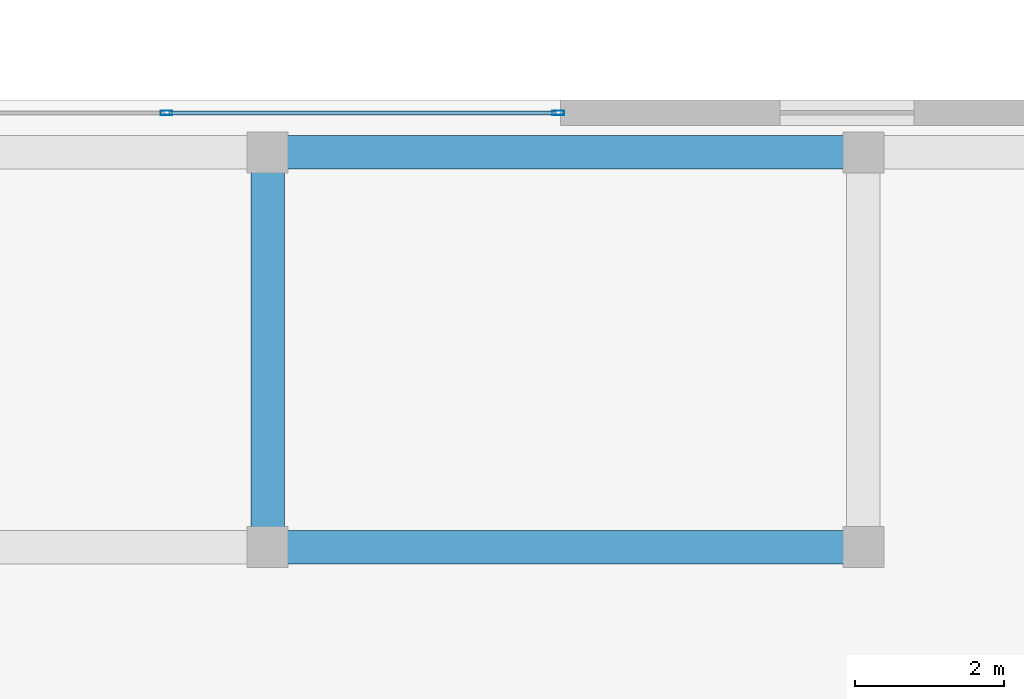
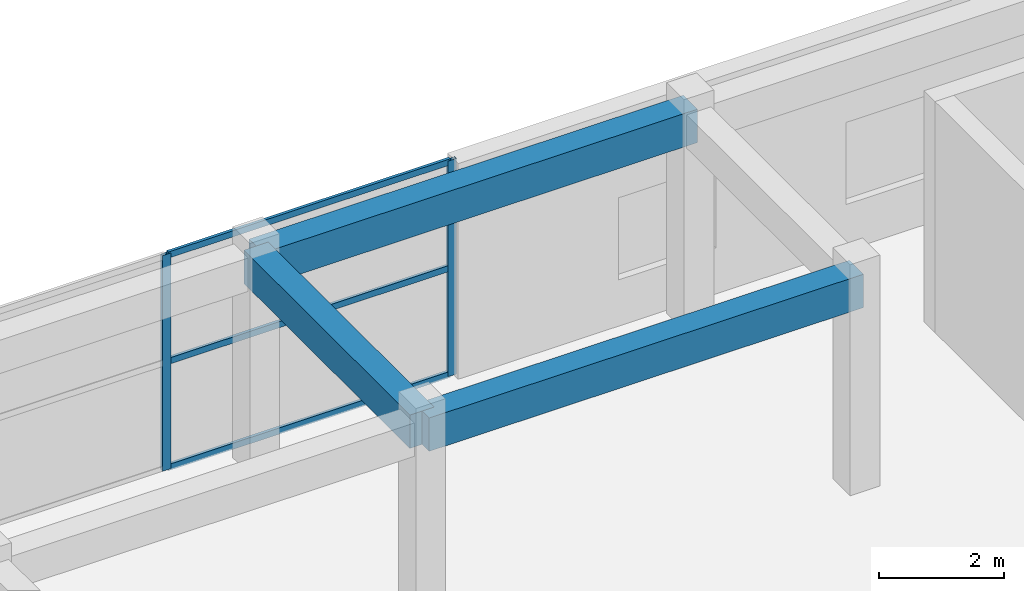
# One storey, part 20 of 33: 5 members, 3 beams, 1 element without a shape of its own.
"""IFC4 building model written with IfcOpenShell, lengths in metres."""

from ifc_helpers import new_model, si_unit, direction, frame, origin, origin_2d, place, context, subcontext, project, spatial, rectangle, hollow_rectangle, extrude, source, transform, mapped, material, layer, layer_set, material_profile, profile_set, type_object, element, aggregate, save


model = new_model("IFC4")

# Units and contexts
model_context = context("Model", 3, precision=1e-05, world=origin(), true_north=direction((0.0, 1.0)))
body_context = subcontext(model_context, "Body", "Model", "MODEL_VIEW")
ifc_project = project(units=[si_unit("LENGTHUNIT", "METRE"), si_unit("AREAUNIT", "SQUARE_METRE"), si_unit("VOLUMEUNIT", "CUBIC_METRE"), si_unit("PLANEANGLEUNIT", "RADIAN"), si_unit("MASSUNIT", "GRAM", prefix="KILO")], contexts=[model_context])

# Site, building, storey
site_placement = place(None, origin())
site = spatial("IfcSite", under=ifc_project, at=site_placement, CompositionType="ELEMENT")
building_placement = place(site_placement, origin())
building = spatial("IfcBuilding", under=site, at=building_placement, Name="Khoralis Quay Care Tower", CompositionType="ELEMENT")
storey_placement = place(building_placement, frame((0.0, 0.0, 18.0)))
storey = spatial("IfcBuildingStorey", under=building, at=storey_placement, Name="L04", CompositionType="ELEMENT", Elevation=18.0)

# Beams
ifc_material_1 = material(Name="Concrete C40/50", Category="concrete")
ifc_material_profile_1 = material_profile(ifc_material_1, rectangle(XDim=0.449951171875, YDim=0.64990234375, at=origin_2d()), Name="Concrete C40/50")
ifc_profile_set_1 = profile_set([ifc_material_profile_1], Name="Concrete C40/50")
beam_type = type_object("IfcBeamType", Name="BM-RC450X650", PredefinedType="BEAM", material=ifc_profile_set_1)
shared_shape_1 = source(origin(), body_context, "Body", "SweptSolid", [
    extrude(rectangle(XDim=0.449951171875, YDim=0.64990234375, at=origin_2d()), origin(), (0.0, 0.0, 1.0), 8.0),
])
for number, where, z_axis, x_axis, name in (
    (1, (92.0, 36.0, 3.864990234375), (1.0, 0.0, 0.0), (0.0, 1.0, 0.0), "BM-SCX-L04-18"),
    (2, (92.0, 41.300048828125, 3.864990234375), (1.0, 0.0, 0.0), (0.0, 1.0, 0.0), "BM-SCX-L04-22"),
):
    element("IfcBeam", number, at=place(storey_placement, frame(where, z_axis=z_axis, x_axis=x_axis)), inside=storey, type_object=beam_type, Name=name, PredefinedType="BEAM", context=body_context, shape_type="MappedRepresentation", body=[
        mapped(shared_shape_1, transform((0.0, 0.0, 0.0), scale=1.0)),
    ])
shared_shape_2 = source(origin(), body_context, "Body", "SweptSolid", [
    extrude(rectangle(XDim=0.449951171875, YDim=0.64990234375, at=origin_2d()), origin(), (0.0, 0.0, 1.0), 5.300048828125),
])
beam_placement = place(storey_placement, frame((92.0, 36.0, 3.864990234375), z_axis=(0.0, 1.0, 0.0), x_axis=(-1.0, 0.0, 0.0)))
element("IfcBeam", 3, at=beam_placement, inside=storey, type_object=beam_type, Name="BM-SCY-L04-43", PredefinedType="BEAM", context=body_context, shape_type="MappedRepresentation", body=[
    mapped(shared_shape_2, transform((0.0, 0.0, 0.0), scale=1.0)),
])

# Curtain wall, members
ifc_material_2 = material(Name="Pale anodised aluminium", Category="aluminium")
ifc_layer = layer(ifc_material_2, 0.14990234375)
ifc_layer_set = layer_set([ifc_layer], Name="Pale anodised aluminium")
curtain_wall_type = type_object("IfcCurtainWallType", Name="CW-SYS-SCHOOL", PredefinedType="NOTDEFINED", material=ifc_layer_set)
curtain_wall_placement = place(storey_placement, origin())
curtain_wall = element("IfcCurtainWall", 4, at=curtain_wall_placement, inside=storey, type_object=curtain_wall_type, Name="L04 Unitised Curtain Wall CW-SCH-L04-E3", PredefinedType="NOTDEFINED")
ifc_material_profile_2 = material_profile(ifc_material_2, hollow_rectangle(XDim=0.06005859375, YDim=0.159912109375, WallThickness=0.00390625, at=origin_2d()), Name="Pale anodised aluminium")
ifc_profile_set_2 = profile_set([ifc_material_profile_2], Name="Pale anodised aluminium")
member_type_1 = type_object("IfcMemberType", Name="CW-MUL-160", PredefinedType="MULLION", material=ifc_profile_set_2)
shared_shape_3 = source(origin(), body_context, "Body", "SweptSolid", [
    extrude(hollow_rectangle(XDim=0.06005859375, YDim=0.159912109375, WallThickness=0.00390625, at=origin_2d()), origin(), (0.0, 0.0, 1.0), 4.199951171875),
])
member_1_placement = place(storey_placement, frame((95.902099609375, 41.830078125, 0.0), z_axis=(0.0, 0.0, 1.0), x_axis=(0.0, -1.0, 0.0)))
member_1 = element("IfcMember", 5, at=member_1_placement, type_object=member_type_1, Name="CW6 mullion 1", PredefinedType="MULLION", context=body_context, shape_type="MappedRepresentation", body=[
    mapped(shared_shape_3, transform((0.0, 0.0, 0.0), scale=1.0)),
])
member_2_placement = place(storey_placement, frame((90.64404296875, 41.830078125, 0.0), z_axis=(0.0, 0.0, 1.0), x_axis=(0.0, -1.0, 0.0)))
member_2 = element("IfcMember", 6, at=member_2_placement, type_object=member_type_1, Name="CW6 mullion 2", PredefinedType="MULLION", context=body_context, shape_type="MappedRepresentation", body=[
    mapped(shared_shape_3, transform((0.0, 0.0, 0.0), scale=1.0)),
])
ifc_material_profile_3 = material_profile(ifc_material_2, hollow_rectangle(XDim=0.054931640625, YDim=0.1201171875, WallThickness=0.00390625, at=origin_2d()), Name="Pale anodised aluminium")
ifc_profile_set_3 = profile_set([ifc_material_profile_3], Name="Pale anodised aluminium")
member_type_2 = type_object("IfcMemberType", Name="CW-TRN-120", PredefinedType="USERDEFINED", material=ifc_profile_set_3)
shared_shape_4 = source(origin(), body_context, "Body", "SweptSolid", [
    extrude(hollow_rectangle(XDim=0.054931640625, YDim=0.1201171875, WallThickness=0.00390625, at=origin_2d()), origin(), (0.0, 0.0, 1.0), 5.197998046875),
])
member_3_placement = place(storey_placement, frame((95.8720703125, 41.830078125, 0.030029296875), z_axis=(-1.0, 0.0, 0.0), x_axis=(0.0, -1.0, 0.0)))
member_3 = element("IfcMember", 7, at=member_3_placement, type_object=member_type_2, Name="CW6 transom 1.1", ObjectType="TRANSOM", PredefinedType="USERDEFINED", context=body_context, shape_type="MappedRepresentation", body=[
    mapped(shared_shape_4, transform((0.0, 0.0, 0.0), scale=1.0)),
])
member_4_placement = place(storey_placement, frame((95.8720703125, 41.830078125, 2.10009765625), z_axis=(-1.0, 0.0, 0.0), x_axis=(0.0, -1.0, 0.0)))
member_4 = element("IfcMember", 8, at=member_4_placement, type_object=member_type_2, Name="CW6 transom 1.2", ObjectType="TRANSOM", PredefinedType="USERDEFINED", context=body_context, shape_type="MappedRepresentation", body=[
    mapped(shared_shape_4, transform((0.0, 0.0, 0.0), scale=1.0)),
])
member_5_placement = place(storey_placement, frame((95.8720703125, 41.830078125, 4.169921875), z_axis=(-1.0, 0.0, 0.0), x_axis=(0.0, -1.0, 0.0)))
member_5 = element("IfcMember", 9, at=member_5_placement, type_object=member_type_2, Name="CW6 transom 1.3", ObjectType="TRANSOM", PredefinedType="USERDEFINED", context=body_context, shape_type="MappedRepresentation", body=[
    mapped(shared_shape_4, transform((0.0, 0.0, 0.0), scale=1.0)),
])
aggregate(curtain_wall, [member_1, member_2, member_3, member_4, member_5])

save(model, "model.ifc")
